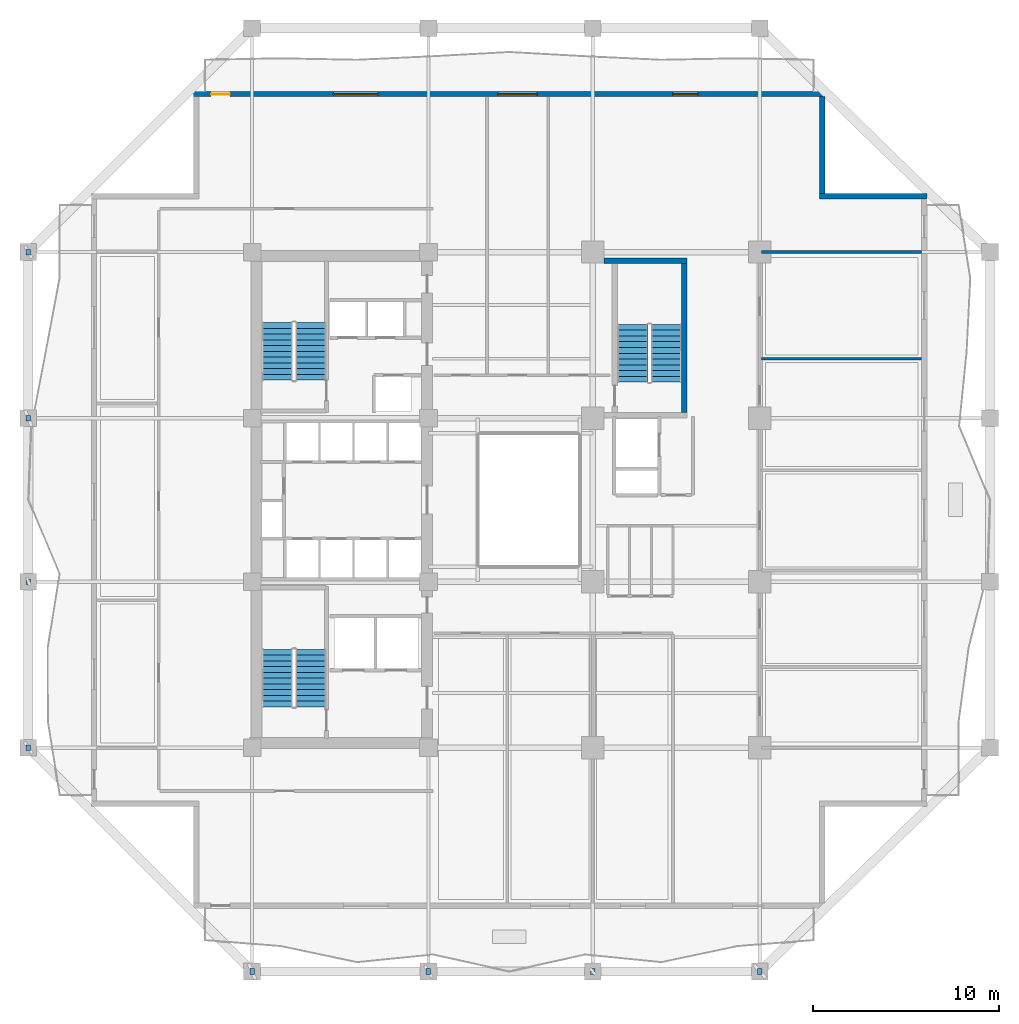
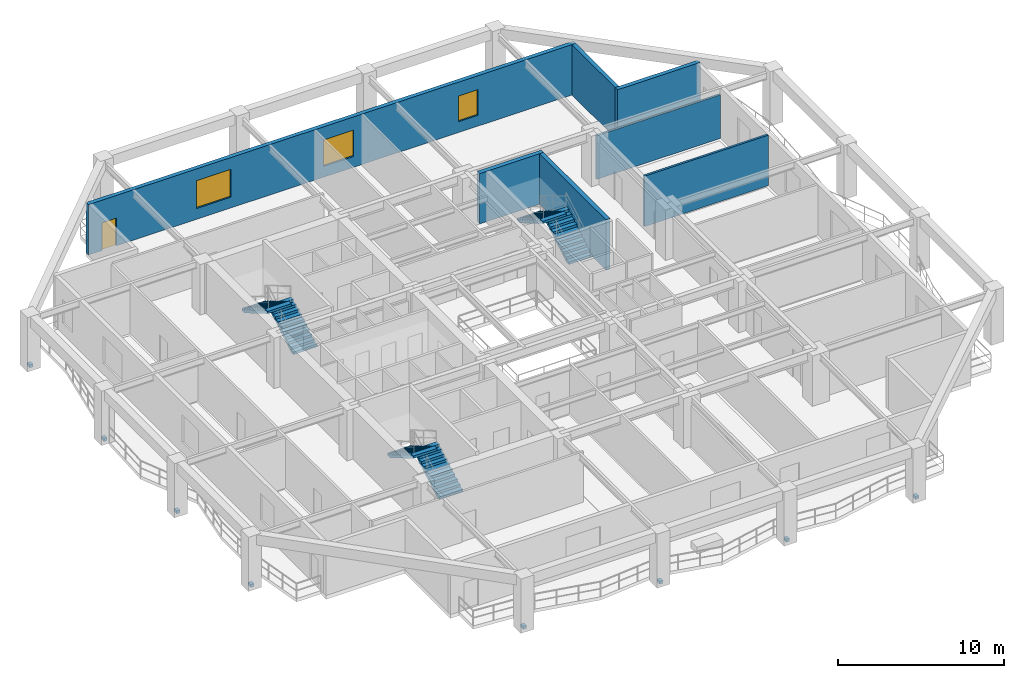
# One storey, part 6 of 13: 8 discrete accessories, 7 walls, 6 stair flights, 3 windows, 1 door, 4 openings, 3 elements without a shape of their own.
"""IFC4 building model written with IfcOpenShell, lengths in metres."""

from ifc_helpers import new_model, si_unit, direction, frame, frame_2d, origin, origin_2d, place, context, subcontext, project, spatial, polyline, rectangle, outline, extrude, material, layer, layer_set, type_object, element, fill, aggregate, save


model = new_model("IFC4")

# Units and contexts
model_context = context("Model", 3, precision=1e-05, world=origin(), true_north=direction((0.0, 1.0)))
body_context = subcontext(model_context, "Body", "Model", "MODEL_VIEW")
ifc_project = project(units=[si_unit("LENGTHUNIT", "METRE"), si_unit("AREAUNIT", "SQUARE_METRE"), si_unit("VOLUMEUNIT", "CUBIC_METRE"), si_unit("PLANEANGLEUNIT", "RADIAN"), si_unit("MASSUNIT", "GRAM", prefix="KILO")], contexts=[model_context])

# Site, building, storey
site_placement = place(None, origin())
site = spatial("IfcSite", under=ifc_project, at=site_placement, CompositionType="ELEMENT")
building_placement = place(site_placement, origin())
building = spatial("IfcBuilding", under=site, at=building_placement, Name="Kundavana Baori Tower", CompositionType="ELEMENT")
storey_placement = place(building_placement, frame((0.0, 0.0, 54.0)))
storey = spatial("IfcBuildingStorey", under=building, at=storey_placement, Name="L12", CompositionType="ELEMENT", Elevation=54.0)

# Walls
ifc_material_1 = material(Name="Red-Buff Dholpur Sandstone Cladding on Concrete C40/50", Category="masonry")
ifc_layer_1 = layer(ifc_material_1, 0.280029296875, Name="WL-EXT-SAND-280")
ifc_layer_set_1 = layer_set([ifc_layer_1], Name="Red-Buff Dholpur Sandstone Cladding on Concrete C40/50")
wall_type_1 = type_object("IfcWallType", Name="WL-EXT-SAND-280", PredefinedType="STANDARD", material=ifc_layer_set_1)
wall_1_placement = place(storey_placement, frame((51.800048828125, 44.9599609375, 0.0), z_axis=(0.0, 0.0, 1.0), x_axis=(-1.0, 0.0, 0.0)))
element("IfcWall", 1, at=wall_1_placement, inside=storey, type_object=wall_type_1, Name="L12 Exterior Insulated Facade Wall 05", PredefinedType="STANDARD", context=body_context, shape_type="SweptSolid", body=[
    extrude(rectangle(XDim=5.780029296875, YDim=0.280029296875, at=frame_2d((2.89013671875, 0.0))), origin(), (0.0, 0.0, 1.0), 3.719970703125),
])
wall_2_placement = place(storey_placement, frame((46.159912109375, 45.10009765625, 0.0), z_axis=(0.0, 0.0, 1.0), x_axis=(0.0, 1.0, 0.0)))
element("IfcWall", 2, at=wall_2_placement, inside=storey, type_object=wall_type_1, Name="L12 Exterior Insulated Facade Wall 06", PredefinedType="STANDARD", context=body_context, shape_type="SweptSolid", body=[
    extrude(rectangle(XDim=5.219970703125, YDim=0.280029296875, at=frame_2d((2.60986328125, 0.0))), origin(), (0.0, 0.0, 1.0), 3.719970703125),
])

# Wall, openings, door, windows
wall_3_placement = place(storey_placement, frame((46.300048828125, 50.4599609375, 0.0), z_axis=(0.0, 0.0, 1.0), x_axis=(-1.0, 0.0, 0.0)))
wall_3 = element("IfcWall", 3, at=wall_3_placement, inside=storey, type_object=wall_type_1, Name="L12 Exterior Insulated Facade Wall 07", PredefinedType="STANDARD", context=body_context, shape_type="SweptSolid", body=[
    extrude(rectangle(XDim=34.0, YDim=0.280029296875, at=frame_2d((17.0, 0.0))), origin(), (0.0, 0.0, 1.0), 3.719970703125),
])
opening_1_placement = place(wall_3_placement, frame((32.050048828125, 0.0, 0.0)))
opening_1 = element("IfcOpeningElement", 4, at=opening_1_placement, cuts=wall_3, Name="Opening BD-1", PredefinedType="OPENING", context=body_context, shape_type="SweptSolid", body=[
    extrude(rectangle(XDim=1.0, YDim=2.050048828125, at=frame_2d((0.5, 1.02490234375))), frame((0.0, 0.14990234375, 0.0), z_axis=(0.0, -1.0, 0.0), x_axis=(1.0, 0.0, 0.0)), (0.0, 0.0, 1.0), 0.300048828125),
])
opening_2_placement = place(wall_3_placement, frame((24.070068359375, 0.0, 0.800048828125)))
opening_2 = element("IfcOpeningElement", 5, at=opening_2_placement, cuts=wall_3, Name="Opening W-04", PredefinedType="OPENING", context=body_context, shape_type="SweptSolid", body=[
    extrude(rectangle(XDim=2.39990234375, YDim=2.050048828125, at=frame_2d((1.199951171875, 1.02490234375))), frame((0.0, 0.14990234375, 0.0), z_axis=(0.0, -1.0, 0.0), x_axis=(1.0, 0.0, 0.0)), (0.0, 0.0, 1.0), 0.300048828125),
])
opening_3_placement = place(wall_3_placement, frame((15.5, 0.0, 0.800048828125)))
opening_3 = element("IfcOpeningElement", 6, at=opening_3_placement, cuts=wall_3, Name="Opening W-05", PredefinedType="OPENING", context=body_context, shape_type="SweptSolid", body=[
    extrude(rectangle(XDim=2.10009765625, YDim=1.949951171875, at=frame_2d((1.050048828125, 0.97509765625))), frame((0.0, 0.14990234375, 0.0), z_axis=(0.0, -1.0, 0.0), x_axis=(1.0, 0.0, 0.0)), (0.0, 0.0, 1.0), 0.300048828125),
])
opening_4_placement = place(wall_3_placement, frame((6.830078125, 0.0, 0.800048828125)))
opening_4 = element("IfcOpeningElement", 7, at=opening_4_placement, cuts=wall_3, Name="Opening W-07", PredefinedType="OPENING", context=body_context, shape_type="SweptSolid", body=[
    extrude(rectangle(XDim=1.35009765625, YDim=1.89990234375, at=frame_2d((0.675048828125, 0.949951171875))), frame((0.0, 0.14990234375, 0.0), z_axis=(0.0, -1.0, 0.0), x_axis=(1.0, 0.0, 0.0)), (0.0, 0.0, 1.0), 0.300048828125),
])
ifc_material_2 = material(Name="Architectural Patinated Bronze Metalwork")
door_type = type_object("IfcDoorType", Name="DR-EXT-LOG-1000", OperationType="NOTDEFINED", PredefinedType="DOOR", material=ifc_material_2)
door_placement = place(opening_1_placement, frame((1.0, 0.0, 0.0), z_axis=(0.0, 0.0, 1.0), x_axis=(-1.0, 0.0, 0.0)))
door = element("IfcDoor", 8, at=door_placement, inside=storey, type_object=door_type, Name="L12 Loggia Balcony Access Door N", OperationType="SINGLE_SWING_LEFT", OverallHeight=2.050048828125, OverallWidth=1.0, PredefinedType="DOOR", context=body_context, shape_type="SweptSolid", body=[
    extrude(rectangle(XDim=1.0, YDim=2.050048828125, at=frame_2d((0.5, 1.02490234375))), frame((0.0, 0.02490234375, 0.0), z_axis=(0.0, -1.0, 0.0), x_axis=(1.0, 0.0, 0.0)), (0.0, 0.0, 1.0), 0.050048828125),
])
fill(opening_1, door)
ifc_material_3 = material(Name="Double-Glazed Solar-Control Low-E Insulated Glass", Category="glass")
window_type_1 = type_object("IfcWindowType", Name="WIN-LOG-1350x1900", PartitioningType="SINGLE_PANEL", PredefinedType="WINDOW", material=ifc_material_3)
window_1_placement = place(opening_4_placement, origin())
window_1 = element("IfcWindow", 9, at=window_1_placement, inside=storey, type_object=window_type_1, Name="L12 Recessed Loggia Window N-3", OverallHeight=1.89990234375, OverallWidth=1.35009765625, PartitioningType="SINGLE_PANEL", PredefinedType="WINDOW", context=body_context, shape_type="SweptSolid", body=[
    extrude(rectangle(XDim=1.35009765625, YDim=1.89990234375, at=frame_2d((0.675048828125, 0.949951171875))), frame((0.0, 0.030029296875, 0.0), z_axis=(0.0, -1.0, 0.0), x_axis=(1.0, 0.0, 0.0)), (0.0, 0.0, 1.0), 0.06005859375),
])
fill(opening_4, window_1)
ifc_material_4 = material(Name="Double-Glazed Solar-Control Low-E Insulated Glass", Category="glass")
window_type_2 = type_object("IfcWindowType", Name="WIN-LOG-2100x1950", PartitioningType="SINGLE_PANEL", PredefinedType="WINDOW", material=ifc_material_4)
window_2_placement = place(opening_3_placement, origin())
window_2 = element("IfcWindow", 10, at=window_2_placement, inside=storey, type_object=window_type_2, Name="L12 Recessed Loggia Window N-2", OverallHeight=1.949951171875, OverallWidth=2.10009765625, PartitioningType="SINGLE_PANEL", PredefinedType="WINDOW", context=body_context, shape_type="SweptSolid", body=[
    extrude(rectangle(XDim=2.10009765625, YDim=1.949951171875, at=frame_2d((1.050048828125, 0.97509765625))), frame((0.0, 0.030029296875, 0.0), z_axis=(0.0, -1.0, 0.0), x_axis=(1.0, 0.0, 0.0)), (0.0, 0.0, 1.0), 0.06005859375),
])
fill(opening_3, window_2)
ifc_material_5 = material(Name="Double-Glazed Solar-Control Low-E Insulated Glass", Category="glass")
window_type_3 = type_object("IfcWindowType", Name="WIN-LOG-2400x2050", PartitioningType="SINGLE_PANEL", PredefinedType="WINDOW", material=ifc_material_5)
window_3_placement = place(opening_2_placement, origin())
window_3 = element("IfcWindow", 11, at=window_3_placement, inside=storey, type_object=window_type_3, Name="L12 Recessed Loggia Window N-1", OverallHeight=2.050048828125, OverallWidth=2.39990234375, PartitioningType="SINGLE_PANEL", PredefinedType="WINDOW", context=body_context, shape_type="SweptSolid", body=[
    extrude(rectangle(XDim=2.39990234375, YDim=2.050048828125, at=frame_2d((1.199951171875, 1.02490234375))), frame((0.0, 0.030029296875, 0.0), z_axis=(0.0, -1.0, 0.0), x_axis=(1.0, 0.0, 0.0)), (0.0, 0.0, 1.0), 0.06005859375),
])
fill(opening_2, window_3)

# Walls
ifc_material_6 = material(Name="Fire-Rated Gypsum Drywall on Galvanised Steel Studs", Category="steel")
ifc_layer_2 = layer(ifc_material_6, 0.14990234375, Name="WL-PART-150")
ifc_layer_set_2 = layer_set([ifc_layer_2], Name="Fire-Rated Gypsum Drywall on Galvanised Steel Studs")
wall_type_2 = type_object("IfcWallType", Name="WL-PART-150", PredefinedType="PARTITIONING", material=ifc_layer_set_2)
wall_4_placement = place(storey_placement, frame((42.8798828125, 41.949951171875, 0.0), z_axis=(0.0, 0.0, 1.0), x_axis=(1.0, 0.0, 0.0)))
element("IfcWall", 12, at=wall_4_placement, inside=storey, type_object=wall_type_2, Name="WL-L12-OFEN", PredefinedType="PARTITIONING", context=body_context, shape_type="SweptSolid", body=[
    extrude(rectangle(XDim=8.64013671875, YDim=0.14990234375, at=frame_2d((4.320068359375, 0.0))), origin(), (0.0, 0.0, 1.0), 3.219970703125),
])
wall_5_placement = place(storey_placement, frame((42.8798828125, 36.199951171875, 0.0), z_axis=(0.0, 0.0, 1.0), x_axis=(1.0, 0.0, 0.0)))
element("IfcWall", 13, at=wall_5_placement, inside=storey, type_object=wall_type_2, Name="WL-L12-ED4", PredefinedType="PARTITIONING", context=body_context, shape_type="SweptSolid", body=[
    extrude(rectangle(XDim=8.64013671875, YDim=0.14990234375, at=frame_2d((4.320068359375, 0.0))), origin(), (0.0, 0.0, 1.0), 3.719970703125),
])
ifc_material_7 = material(Name="Concrete C50/60", Category="concrete")
ifc_layer_3 = layer(ifc_material_7, 0.300048828125, Name="WL-ST3-300")
ifc_layer_set_3 = layer_set([ifc_layer_3], Name="Concrete C50/60")
wall_type_3 = type_object("IfcWallType", Name="WL-ST3-300", PredefinedType="SHEAR", material=ifc_layer_set_3)
wall_6_placement = place(storey_placement, frame((34.39990234375, 41.489990234375, 0.0), z_axis=(0.0, 0.0, 1.0), x_axis=(1.0, 0.0, 0.0)))
element("IfcWall", 14, at=wall_6_placement, inside=storey, type_object=wall_type_3, Name="L12 Stair ST3 North Shear Wall", PredefinedType="SHEAR", context=body_context, shape_type="SweptSolid", body=[
    extrude(rectangle(XDim=4.47021484375, YDim=0.300048828125, at=frame_2d((2.235107421875, 0.0))), origin(), (0.0, 0.0, 1.0), 3.719970703125),
])
wall_7_placement = place(storey_placement, frame((38.719970703125, 33.31005859375, 0.0), z_axis=(0.0, 0.0, 1.0), x_axis=(0.0, 1.0, 0.0)))
element("IfcWall", 15, at=wall_7_placement, inside=storey, type_object=wall_type_3, Name="L12 Stair ST3 East Shear Wall", PredefinedType="SHEAR", context=body_context, shape_type="SweptSolid", body=[
    extrude(rectangle(XDim=8.030029296875, YDim=0.300048828125, at=frame_2d((4.01513671875, 0.0))), origin(), (0.0, 0.0, 1.0), 3.719970703125),
])

# Stair, stair flights
ifc_material_8 = material(Name="Concrete C40/50", Category="concrete")
stair_type = type_object("IfcStairType", Name="STR-DOG-1650", PredefinedType="HALF_TURN_STAIR", material=ifc_material_8)
stair_1_placement = place(storey_placement, origin())
stair_1 = element("IfcStair", 16, at=stair_1_placement, inside=storey, type_object=stair_type, Name="L12 Protected Exit Stair ST1", PredefinedType="HALF_TURN_STAIR")
ifc_material_9 = material(Name="Concrete C40/50", Category="concrete")
stair_flight_type = type_object("IfcStairFlightType", Name="SFL-RC-1650", PredefinedType="STRAIGHT", material=ifc_material_9)
stair_flight_1_placement = place(storey_placement, frame((18.614990234375, 17.449951171875, 0.0), z_axis=(0.0, 0.0, 1.0), x_axis=(0.0, 1.0, 0.0)))
stair_flight_1 = element("IfcStairFlight", 17, at=stair_flight_1_placement, type_object=stair_flight_type, Name="ST1 flight 1", NumberOfRisers=11, NumberOfTreads=10, PredefinedType="STRAIGHT", RiserHeight=0.181818182, TreadLength=0.31, context=body_context, shape_type="SweptSolid", body=[
    extrude(outline(polyline([(0.0, 0.0), (0.0, 0.181884765625), (0.31005859375, 0.181884765625), (0.31005859375, 0.363525390625), (0.6201171875, 0.363525390625), (0.6201171875, 0.54541015625), (0.929931640625, 0.54541015625), (0.929931640625, 0.727294921875), (1.239990234375, 0.727294921875), (1.239990234375, 0.9091796875), (1.550048828125, 0.9091796875), (1.550048828125, 1.0908203125), (1.860107421875, 1.0908203125), (1.860107421875, 1.272705078125), (2.169921875, 1.272705078125), (2.169921875, 1.45458984375), (2.47998046875, 1.45458984375), (2.47998046875, 1.636474609375), (2.7900390625, 1.636474609375), (2.7900390625, 1.818115234375), (3.10009765625, 1.818115234375), (3.10009765625, 2.0), (3.10009765625, 1.644287109375), (0.29638671875, 0.0), (0.0, 0.0)])), frame((0.0, 0.824951171875, 0.0), z_axis=(0.0, -1.0, 0.0), x_axis=(1.0, 0.0, 0.0)), (0.0, 0.0, 1.0), 1.64990234375),
])
stair_flight_2_placement = place(storey_placement, frame((16.804931640625, 20.550048828125, 2.0), z_axis=(0.0, 0.0, 1.0), x_axis=(0.0, -1.0, 0.0)))
stair_flight_2 = element("IfcStairFlight", 18, at=stair_flight_2_placement, type_object=stair_flight_type, Name="ST1 flight 2", NumberOfRisers=11, NumberOfTreads=10, PredefinedType="STRAIGHT", RiserHeight=0.181818182, TreadLength=0.31, context=body_context, shape_type="SweptSolid", body=[
    extrude(outline(polyline([(0.0, 0.0), (0.0, 0.181884765625), (0.31005859375, 0.181884765625), (0.31005859375, 0.363525390625), (0.6201171875, 0.363525390625), (0.6201171875, 0.54541015625), (0.929931640625, 0.54541015625), (0.929931640625, 0.727294921875), (1.239990234375, 0.727294921875), (1.239990234375, 0.9091796875), (1.550048828125, 0.9091796875), (1.550048828125, 1.0908203125), (1.860107421875, 1.0908203125), (1.860107421875, 1.272705078125), (2.169921875, 1.272705078125), (2.169921875, 1.45458984375), (2.47998046875, 1.45458984375), (2.47998046875, 1.636474609375), (2.7900390625, 1.636474609375), (2.7900390625, 1.818115234375), (3.10009765625, 1.818115234375), (3.10009765625, 2.0), (3.10009765625, 1.644287109375), (0.29638671875, 0.0), (0.0, 0.0)])), frame((0.0, 0.824951171875, 0.0), z_axis=(0.0, -1.0, 0.0), x_axis=(1.0, 0.0, 0.0)), (0.0, 0.0, 1.0), 1.64990234375),
])
aggregate(stair_1, [stair_flight_1, stair_flight_2])

stair_2_placement = place(storey_placement, origin())
stair_2 = element("IfcStair", 19, at=stair_2_placement, inside=storey, type_object=stair_type, Name="L12 Protected Exit Stair ST2", PredefinedType="HALF_TURN_STAIR")
stair_flight_3_placement = place(storey_placement, frame((18.614990234375, 35.050048828125, 0.0), z_axis=(0.0, 0.0, 1.0), x_axis=(0.0, 1.0, 0.0)))
stair_flight_3 = element("IfcStairFlight", 20, at=stair_flight_3_placement, type_object=stair_flight_type, Name="ST2 flight 1", NumberOfRisers=11, NumberOfTreads=10, PredefinedType="STRAIGHT", RiserHeight=0.181818182, TreadLength=0.31, context=body_context, shape_type="SweptSolid", body=[
    extrude(outline(polyline([(0.0, 0.0), (0.0, 0.181884765625), (0.31005859375, 0.181884765625), (0.31005859375, 0.363525390625), (0.6201171875, 0.363525390625), (0.6201171875, 0.54541015625), (0.929931640625, 0.54541015625), (0.929931640625, 0.727294921875), (1.239990234375, 0.727294921875), (1.239990234375, 0.9091796875), (1.550048828125, 0.9091796875), (1.550048828125, 1.0908203125), (1.860107421875, 1.0908203125), (1.860107421875, 1.272705078125), (2.169921875, 1.272705078125), (2.169921875, 1.45458984375), (2.47998046875, 1.45458984375), (2.47998046875, 1.636474609375), (2.7900390625, 1.636474609375), (2.7900390625, 1.818115234375), (3.10009765625, 1.818115234375), (3.10009765625, 2.0), (3.10009765625, 1.644287109375), (0.29638671875, 0.0), (0.0, 0.0)])), frame((0.0, 0.824951171875, 0.0), z_axis=(0.0, -1.0, 0.0), x_axis=(1.0, 0.0, 0.0)), (0.0, 0.0, 1.0), 1.64990234375),
])
stair_flight_4_placement = place(storey_placement, frame((16.804931640625, 38.14990234375, 2.0), z_axis=(0.0, 0.0, 1.0), x_axis=(0.0, -1.0, 0.0)))
stair_flight_4 = element("IfcStairFlight", 21, at=stair_flight_4_placement, type_object=stair_flight_type, Name="ST2 flight 2", NumberOfRisers=11, NumberOfTreads=10, PredefinedType="STRAIGHT", RiserHeight=0.181818182, TreadLength=0.31, context=body_context, shape_type="SweptSolid", body=[
    extrude(outline(polyline([(0.0, 0.0), (0.0, 0.181884765625), (0.31005859375, 0.181884765625), (0.31005859375, 0.363525390625), (0.6201171875, 0.363525390625), (0.6201171875, 0.54541015625), (0.929931640625, 0.54541015625), (0.929931640625, 0.727294921875), (1.239990234375, 0.727294921875), (1.239990234375, 0.9091796875), (1.550048828125, 0.9091796875), (1.550048828125, 1.0908203125), (1.860107421875, 1.0908203125), (1.860107421875, 1.272705078125), (2.169921875, 1.272705078125), (2.169921875, 1.45458984375), (2.47998046875, 1.45458984375), (2.47998046875, 1.636474609375), (2.7900390625, 1.636474609375), (2.7900390625, 1.818115234375), (3.10009765625, 1.818115234375), (3.10009765625, 2.0), (3.10009765625, 1.644287109375), (0.29638671875, 0.0), (0.0, 0.0)])), frame((0.0, 0.824951171875, 0.0), z_axis=(0.0, -1.0, 0.0), x_axis=(1.0, 0.0, 0.0)), (0.0, 0.0, 1.0), 1.64990234375),
])
aggregate(stair_2, [stair_flight_3, stair_flight_4])

stair_3_placement = place(storey_placement, origin())
stair_3 = element("IfcStair", 22, at=stair_3_placement, inside=storey, type_object=stair_type, Name="L12 Protected Exit Stair ST3", PredefinedType="HALF_TURN_STAIR")
stair_flight_5_placement = place(storey_placement, frame((37.7548828125, 34.949951171875, 0.0), z_axis=(0.0, 0.0, 1.0), x_axis=(0.0, 1.0, 0.0)))
stair_flight_5 = element("IfcStairFlight", 23, at=stair_flight_5_placement, type_object=stair_flight_type, Name="ST3 flight 1", NumberOfRisers=11, NumberOfTreads=10, PredefinedType="STRAIGHT", RiserHeight=0.181818182, TreadLength=0.31, context=body_context, shape_type="SweptSolid", body=[
    extrude(outline(polyline([(0.0, 0.0), (0.0, 0.181884765625), (0.31005859375, 0.181884765625), (0.31005859375, 0.363525390625), (0.6201171875, 0.363525390625), (0.6201171875, 0.54541015625), (0.929931640625, 0.54541015625), (0.929931640625, 0.727294921875), (1.239990234375, 0.727294921875), (1.239990234375, 0.9091796875), (1.550048828125, 0.9091796875), (1.550048828125, 1.0908203125), (1.860107421875, 1.0908203125), (1.860107421875, 1.272705078125), (2.169921875, 1.272705078125), (2.169921875, 1.45458984375), (2.47998046875, 1.45458984375), (2.47998046875, 1.636474609375), (2.7900390625, 1.636474609375), (2.7900390625, 1.818115234375), (3.10009765625, 1.818115234375), (3.10009765625, 2.0), (3.10009765625, 1.644287109375), (0.29638671875, 0.0), (0.0, 0.0)])), frame((0.0, 0.824951171875, 0.0), z_axis=(0.0, -1.0, 0.0), x_axis=(1.0, 0.0, 0.0)), (0.0, 0.0, 1.0), 1.64990234375),
])
stair_flight_6_placement = place(storey_placement, frame((35.945068359375, 38.050048828125, 2.0), z_axis=(0.0, 0.0, 1.0), x_axis=(0.0, -1.0, 0.0)))
stair_flight_6 = element("IfcStairFlight", 24, at=stair_flight_6_placement, type_object=stair_flight_type, Name="ST3 flight 2", NumberOfRisers=11, NumberOfTreads=10, PredefinedType="STRAIGHT", RiserHeight=0.181818182, TreadLength=0.31, context=body_context, shape_type="SweptSolid", body=[
    extrude(outline(polyline([(0.0, 0.0), (0.0, 0.181884765625), (0.31005859375, 0.181884765625), (0.31005859375, 0.363525390625), (0.6201171875, 0.363525390625), (0.6201171875, 0.54541015625), (0.929931640625, 0.54541015625), (0.929931640625, 0.727294921875), (1.239990234375, 0.727294921875), (1.239990234375, 0.9091796875), (1.550048828125, 0.9091796875), (1.550048828125, 1.0908203125), (1.860107421875, 1.0908203125), (1.860107421875, 1.272705078125), (2.169921875, 1.272705078125), (2.169921875, 1.45458984375), (2.47998046875, 1.45458984375), (2.47998046875, 1.636474609375), (2.7900390625, 1.636474609375), (2.7900390625, 1.818115234375), (3.10009765625, 1.818115234375), (3.10009765625, 2.0), (3.10009765625, 1.644287109375), (0.29638671875, 0.0), (0.0, 0.0)])), frame((0.0, 0.824951171875, 0.0), z_axis=(0.0, -1.0, 0.0), x_axis=(1.0, 0.0, 0.0)), (0.0, 0.0, 1.0), 1.64990234375),
])
aggregate(stair_3, [stair_flight_5, stair_flight_6])

# Discrete accessories
ifc_material_10 = material(Name="Structural Steel S355JR", Category="steel")
discrete_accessory_type = type_object("IfcDiscreteAccessoryType", Name="ACC-BRK-FIN", PredefinedType="BRACKET", material=ifc_material_10)
for number, where, z_axis, x_axis, name in (
    (25, (15.449951171875, 3.199951171875, 0.0), (0.0, 0.0, 1.0), (1.0, 0.0, 0.0), "L12 Stainless Fin Anchor Bracket 1"),
    (26, (24.949951171875, 3.199951171875, 0.0), (0.0, 0.0, 1.0), (1.0, 0.0, 0.0), "L12 Stainless Fin Anchor Bracket 2"),
    (27, (33.800048828125, 3.199951171875, 0.0), (0.0, 0.0, 1.0), (1.0, 0.0, 0.0), "L12 Stainless Fin Anchor Bracket 3"),
    (28, (42.800048828125, 3.199951171875, 0.0), (0.0, 0.0, 1.0), (1.0, 0.0, 0.0), "L12 Stainless Fin Anchor Bracket 4"),
    (29, (3.39990234375, 15.25, 0.0), (0.0, 0.0, 1.0), (1.0, 0.0, 0.0), "L12 Stainless Fin Anchor Bracket 5"),
    (30, (3.39990234375, 24.199951171875, 0.0), (0.0, 0.0, 1.0), (1.0, 0.0, 0.0), "L12 Stainless Fin Anchor Bracket 6"),
    (31, (3.39990234375, 33.0, 0.0), (0.0, 0.0, 1.0), (1.0, 0.0, 0.0), "L12 Stainless Fin Anchor Bracket 7"),
    (32, (3.39990234375, 41.949951171875, 0.0), (0.0, 0.0, 1.0), (1.0, 0.0, 0.0), "L12 Stainless Fin Anchor Bracket 8"),
):
    element("IfcDiscreteAccessory", number, at=place(storey_placement, frame(where, z_axis=z_axis, x_axis=x_axis)), inside=storey, type_object=discrete_accessory_type, Name=name, PredefinedType="BRACKET", context=body_context, shape_type="SweptSolid", body=[
        extrude(rectangle(XDim=0.239990234375, YDim=0.300048828125, at=origin_2d()), origin(), (0.0, 0.0, 1.0), 0.219970703125),
    ])

save(model, "model.ifc")
